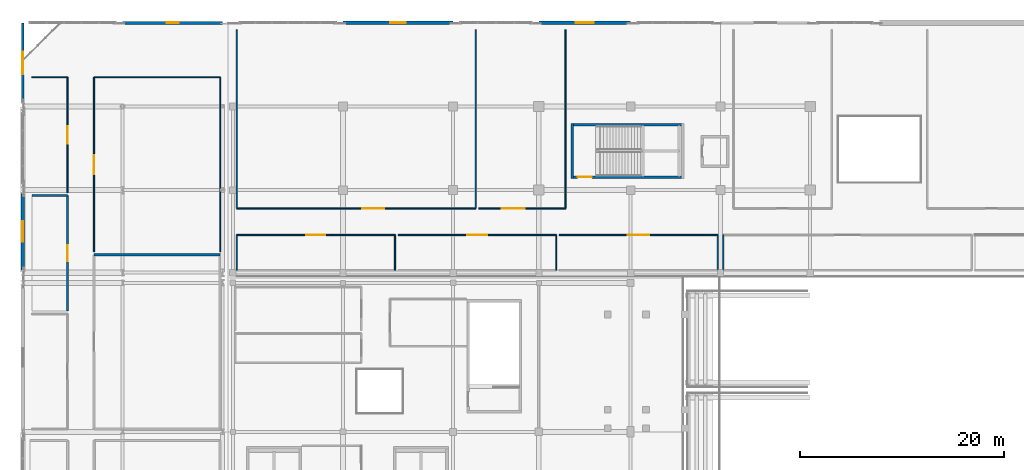
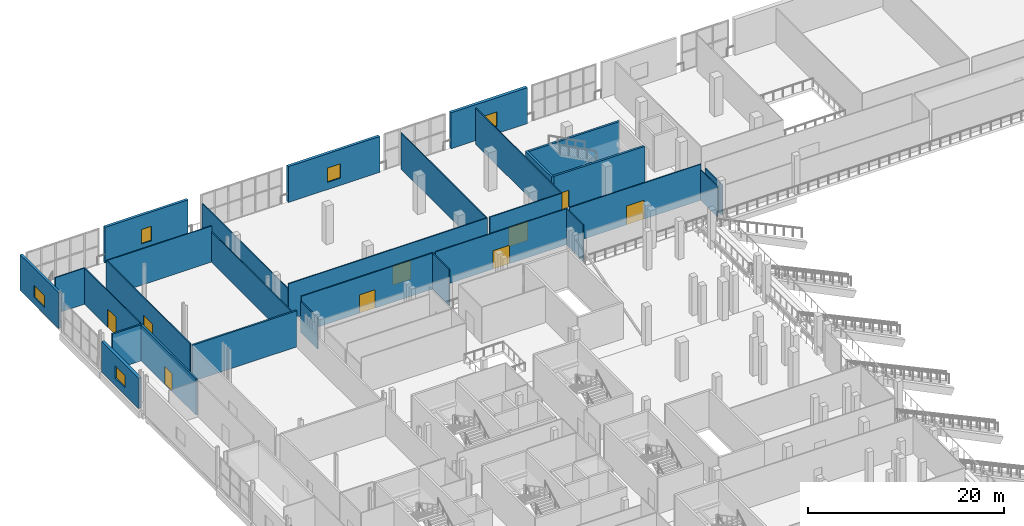
# One storey, part 85 of 129: 29 walls, 9 doors, 5 windows, 14 openings.
"""IFC4 building model written with IfcOpenShell, lengths in metres."""

from ifc_helpers import new_model, si_unit, direction, frame, frame_2d, origin, place, context, subcontext, project, spatial, rectangle, extrude, material, layer, layer_set, type_object, element, fill, save


model = new_model("IFC4")

# Units and contexts
model_context = context("Model", 3, precision=1e-05, world=origin(), true_north=direction((0.0, 1.0)))
body_context = subcontext(model_context, "Body", "Model", "MODEL_VIEW")
ifc_project = project(units=[si_unit("LENGTHUNIT", "METRE"), si_unit("AREAUNIT", "SQUARE_METRE"), si_unit("VOLUMEUNIT", "CUBIC_METRE"), si_unit("PLANEANGLEUNIT", "RADIAN"), si_unit("MASSUNIT", "GRAM", prefix="KILO")], contexts=[model_context])

# Site, building, storey
site_placement = place(None, origin())
site = spatial("IfcSite", under=ifc_project, at=site_placement, CompositionType="ELEMENT")
building_placement = place(site_placement, origin())
building = spatial("IfcBuilding", under=site, at=building_placement, Name="Koshinbarg Plaza Stadium", CompositionType="ELEMENT")
storey_placement = place(building_placement, frame((0.0, 0.0, 5.39990234375)))
storey = spatial("IfcBuildingStorey", under=building, at=storey_placement, Name="L01", CompositionType="ELEMENT", Elevation=5.39990234375)

# Walls
ifc_material_1 = material(Name="Concrete C40/50", Category="concrete")
ifc_layer_1 = layer(ifc_material_1, 0.25)
ifc_layer_set_1 = layer_set([ifc_layer_1], Name="Concrete C40/50")
wall_type_1 = type_object("IfcWallType", Name="WL-CORE-250", PredefinedType="SHEAR", material=ifc_layer_set_1)
wall_1_placement = place(storey_placement, frame((57.875, 142.1201171875, 0.0), z_axis=(0.0, 0.0, 1.0), x_axis=(0.0, -1.0, 0.0)))
element("IfcWall", 1, at=wall_1_placement, inside=storey, type_object=wall_type_1, Name="L01 core stair shear wall C11-near IWL-L01-0262", PredefinedType="SHEAR", context=body_context, shape_type="SweptSolid", body=[
    extrude(rectangle(XDim=5.3701171875, YDim=0.25, at=frame_2d((2.68505859375, 0.0))), origin(), (0.0, 0.0, 1.0), 4.5),
])
wall_2_placement = place(storey_placement, frame((57.875, 141.9951171875, 0.0), z_axis=(0.0, 0.0, 1.0), x_axis=(1.0, 0.0, 0.0)))
element("IfcWall", 2, at=wall_2_placement, inside=storey, type_object=wall_type_1, Name="L01 core stair shear wall C11-left IWL-L01-0264", PredefinedType="SHEAR", context=body_context, shape_type="SweptSolid", body=[
    extrude(rectangle(XDim=10.85009765625, YDim=0.25, at=frame_2d((5.425048828125, 0.0))), origin(), (0.0, 0.0, 1.0), 4.5),
])

# Wall, opening, door
wall_3_placement = place(storey_placement, frame((57.875, 136.875, 0.0), z_axis=(0.0, 0.0, 1.0), x_axis=(1.0, 0.0, 0.0)))
wall_3 = element("IfcWall", 3, at=wall_3_placement, inside=storey, type_object=wall_type_1, Name="L01 core stair shear wall C11-right IWL-L01-0265", PredefinedType="SHEAR", context=body_context, shape_type="SweptSolid", body=[
    extrude(rectangle(XDim=10.85009765625, YDim=0.25, at=frame_2d((5.425048828125, 0.0))), origin(), (0.0, 0.0, 1.0), 4.5),
])
opening_1_placement = place(wall_3_placement, frame((0.52001953125, 0.0, 0.0)))
opening_1 = element("IfcOpeningElement", 4, at=opening_1_placement, cuts=wall_3, Name="Opening D-0128", PredefinedType="OPENING", context=body_context, shape_type="SweptSolid", body=[
    extrude(rectangle(XDim=1.39990234375, YDim=2.14990234375, at=frame_2d((0.699951171875, 1.074951171875))), frame((0.0, 0.135009765625, 0.0), z_axis=(0.0, -1.0, 0.0), x_axis=(1.0, 0.0, 0.0)), (0.0, 0.0, 1.0), 0.27001953125),
])
ifc_material_2 = material(Name="Painted galvanized steel fire door", Category="steel")
door_type_1 = type_object("IfcDoorType", Name="DR-STAIR-1400", OperationType="NOTDEFINED", PredefinedType="DOOR", material=ifc_material_2)
door_1_placement = place(opening_1_placement, origin())
door_1 = element("IfcDoor", 5, at=door_1_placement, inside=storey, type_object=door_type_1, Name="L01 exit stair door C11", OperationType="SINGLE_SWING_LEFT", OverallHeight=2.14990234375, OverallWidth=1.39990234375, PredefinedType="DOOR", context=body_context, shape_type="SweptSolid", body=[
    extrude(rectangle(XDim=1.39990234375, YDim=2.14990234375, at=frame_2d((0.699951171875, 1.074951171875))), frame((0.0, 0.02490234375, 0.0), z_axis=(0.0, -1.0, 0.0), x_axis=(1.0, 0.0, 0.0)), (0.0, 0.0, 1.0), 0.050048828125),
])
fill(opening_1, door_1)

# Wall, opening, window
ifc_material_3 = material(Name="Terracotta-ochre mineral plaster insulated wall", Category="masonry")
ifc_layer_2 = layer(ifc_material_3, 0.280029296875)
ifc_layer_set_2 = layer_set([ifc_layer_2], Name="Terracotta-ochre mineral plaster insulated wall")
wall_type_2 = type_object("IfcWallType", Name="WL-EXT-280", PredefinedType="SOLIDWALL", material=ifc_layer_set_2)
wall_4_placement = place(storey_placement, frame((4.0, 144.14501953125, 0.0), z_axis=(0.0, 0.0, 1.0), x_axis=(0.0, 1.0, 0.0)))
wall_4 = element("IfcWall", 6, at=wall_4_placement, inside=storey, type_object=wall_type_2, Name="L01 exterior envelope wall EWL-L01-0080", PredefinedType="SOLIDWALL", context=body_context, shape_type="SweptSolid", body=[
    extrude(rectangle(XDim=7.85498046875, YDim=0.280029296875, at=frame_2d((3.927490234375, 0.0))), origin(), (0.0, 0.0, 1.0), 4.47998046875),
])
opening_2_placement = place(wall_4_placement, frame((2.827392578125, 0.0, 0.89990234375)))
opening_2 = element("IfcOpeningElement", 7, at=opening_2_placement, cuts=wall_4, Name="Opening WN06", PredefinedType="OPENING", context=body_context, shape_type="SweptSolid", body=[
    extrude(rectangle(XDim=2.199951171875, YDim=1.5, at=frame_2d((1.10009765625, 0.75))), frame((0.0, 0.14990234375, 0.0), z_axis=(0.0, -1.0, 0.0), x_axis=(1.0, 0.0, 0.0)), (0.0, 0.0, 1.0), 0.300048828125),
])
ifc_material_4 = material(Name="Solar-control double glazing in thermally broken aluminium frame", Category="aluminium")
window_type_1 = type_object("IfcWindowType", Name="WN-FAC-06", PartitioningType="DOUBLE_PANEL_VERTICAL", PredefinedType="WINDOW", material=ifc_material_4)
window_1_placement = place(opening_2_placement, origin())
window_1 = element("IfcWindow", 8, at=window_1_placement, inside=storey, type_object=window_type_1, Name="L01 facade window 0022", OverallHeight=1.5, OverallWidth=2.199951171875, PartitioningType="SINGLE_PANEL", PredefinedType="WINDOW", context=body_context, shape_type="SweptSolid", body=[
    extrude(rectangle(XDim=2.199951171875, YDim=1.5, at=frame_2d((1.10009765625, 0.75))), frame((0.0, 0.030029296875, 0.0), z_axis=(0.0, -1.0, 0.0), x_axis=(1.0, 0.0, 0.0)), (0.0, 0.0, 1.0), 0.06005859375),
])
fill(opening_2, window_1)

ifc_material_5 = material(Name="Off-white mineral plaster insulated wall", Category="masonry")
ifc_layer_3 = layer(ifc_material_5, 0.300048828125)
ifc_layer_set_3 = layer_set([ifc_layer_3], Name="Off-white mineral plaster insulated wall")
wall_type_3 = type_object("IfcWallType", Name="WL-EXT-300", PredefinedType="SOLIDWALL", material=ifc_layer_set_3)
wall_5_placement = place(storey_placement, frame((13.800048828125, 152.0, 0.0), z_axis=(0.0, 0.0, 1.0), x_axis=(1.0, 0.0, 0.0)))
wall_5 = element("IfcWall", 9, at=wall_5_placement, inside=storey, type_object=wall_type_3, Name="L01 exterior envelope wall EWL-L01-0081", PredefinedType="SOLIDWALL", context=body_context, shape_type="SweptSolid", body=[
    extrude(rectangle(XDim=9.800048828125, YDim=0.300048828125, at=frame_2d((4.89990234375, 0.0))), origin(), (0.0, 0.0, 1.0), 4.47998046875),
])
opening_3_placement = place(wall_5_placement, frame((4.300048828125, 0.0, 0.89990234375)))
opening_3 = element("IfcOpeningElement", 10, at=opening_3_placement, cuts=wall_5, Name="Opening WN07", PredefinedType="OPENING", context=body_context, shape_type="SweptSolid", body=[
    extrude(rectangle(XDim=1.199951171875, YDim=1.800048828125, at=frame_2d((0.60009765625, 0.89990234375))), frame((0.0, 0.159912109375, 0.0), z_axis=(0.0, -1.0, 0.0), x_axis=(1.0, 0.0, 0.0)), (0.0, 0.0, 1.0), 0.320068359375),
])
window_type_2 = type_object("IfcWindowType", Name="WN-FAC-07", PartitioningType="DOUBLE_PANEL_VERTICAL", PredefinedType="WINDOW", material=ifc_material_4)
window_2_placement = place(opening_3_placement, origin())
window_2 = element("IfcWindow", 11, at=window_2_placement, inside=storey, type_object=window_type_2, Name="L01 facade window 0023", OverallHeight=1.800048828125, OverallWidth=1.199951171875, PartitioningType="SINGLE_PANEL", PredefinedType="WINDOW", context=body_context, shape_type="SweptSolid", body=[
    extrude(rectangle(XDim=1.199951171875, YDim=1.800048828125, at=frame_2d((0.60009765625, 0.89990234375))), frame((0.0, 0.030029296875, 0.0), z_axis=(0.0, -1.0, 0.0), x_axis=(1.0, 0.0, 0.0)), (0.0, 0.0, 1.0), 0.06005859375),
])
fill(opening_3, window_2)

ifc_material_6 = material(Name="Ultramarine-blue pigmented mineral plaster facade wall", Category="masonry")
ifc_layer_4 = layer(ifc_material_6, 0.320068359375)
ifc_layer_set_4 = layer_set([ifc_layer_4], Name="Ultramarine-blue pigmented mineral plaster facade wall")
wall_type_4 = type_object("IfcWallType", Name="WL-EXT-320", PredefinedType="SOLIDWALL", material=ifc_layer_set_4)
wall_6_placement = place(storey_placement, frame((35.39990234375, 152.0, 0.0), z_axis=(0.0, 0.0, 1.0), x_axis=(1.0, 0.0, 0.0)))
wall_6 = element("IfcWall", 12, at=wall_6_placement, inside=storey, type_object=wall_type_4, Name="L01 exterior envelope wall EWL-L01-0082", PredefinedType="SOLIDWALL", context=body_context, shape_type="SweptSolid", body=[
    extrude(rectangle(XDim=10.800048828125, YDim=0.320068359375, at=frame_2d((5.39990234375, 0.0))), origin(), (0.0, 0.0, 1.0), 4.47998046875),
])
opening_4_placement = place(wall_6_placement, frame((4.64990234375, 0.0, 0.89990234375)))
opening_4 = element("IfcOpeningElement", 13, at=opening_4_placement, cuts=wall_6, Name="Opening WN08", PredefinedType="OPENING", context=body_context, shape_type="SweptSolid", body=[
    extrude(rectangle(XDim=1.5, YDim=1.800048828125, at=frame_2d((0.75, 0.89990234375))), frame((0.0, 0.169921875, 0.0), z_axis=(0.0, -1.0, 0.0), x_axis=(1.0, 0.0, 0.0)), (0.0, 0.0, 1.0), 0.340087890625),
])
window_type_3 = type_object("IfcWindowType", Name="WN-FAC-08", PartitioningType="DOUBLE_PANEL_VERTICAL", PredefinedType="WINDOW", material=ifc_material_4)
window_3_placement = place(opening_4_placement, origin())
window_3 = element("IfcWindow", 14, at=window_3_placement, inside=storey, type_object=window_type_3, Name="L01 facade window 0024", OverallHeight=1.800048828125, OverallWidth=1.5, PartitioningType="SINGLE_PANEL", PredefinedType="WINDOW", context=body_context, shape_type="SweptSolid", body=[
    extrude(rectangle(XDim=1.5, YDim=1.800048828125, at=frame_2d((0.75, 0.89990234375))), frame((0.0, 0.030029296875, 0.0), z_axis=(0.0, -1.0, 0.0), x_axis=(1.0, 0.0, 0.0)), (0.0, 0.0, 1.0), 0.06005859375),
])
fill(opening_4, window_3)

ifc_material_7 = material(Name="Acoustic insulated masonry stadium wall", Category="masonry")
ifc_layer_5 = layer(ifc_material_7, 0.35009765625)
ifc_layer_set_5 = layer_set([ifc_layer_5], Name="Acoustic insulated masonry stadium wall")
wall_type_5 = type_object("IfcWallType", Name="WL-EXT-350", PredefinedType="SOLIDWALL", material=ifc_layer_set_5)
wall_7_placement = place(storey_placement, frame((4.0, 127.7451171875, 0.0), z_axis=(0.0, 0.0, 1.0), x_axis=(0.0, 1.0, 0.0)))
wall_7 = element("IfcWall", 15, at=wall_7_placement, inside=storey, type_object=wall_type_5, Name="L01 exterior envelope wall EWL-L01-0079", PredefinedType="SOLIDWALL", context=body_context, shape_type="SweptSolid", body=[
    extrude(rectangle(XDim=7.559814453125, YDim=0.35009765625, at=frame_2d((3.77978515625, 0.0))), origin(), (0.0, 0.0, 1.0), 3.780029296875),
])
opening_5_placement = place(wall_7_placement, frame((2.780029296875, 0.0, 0.89990234375)))
opening_5 = element("IfcOpeningElement", 16, at=opening_5_placement, cuts=wall_7, Name="Opening WN05", PredefinedType="OPENING", context=body_context, shape_type="SweptSolid", body=[
    extrude(rectangle(XDim=2.0, YDim=1.5, at=frame_2d((1.0, 0.75))), frame((0.0, 0.18505859375, 0.0), z_axis=(0.0, -1.0, 0.0), x_axis=(1.0, 0.0, 0.0)), (0.0, 0.0, 1.0), 0.3701171875),
])
window_type_4 = type_object("IfcWindowType", Name="WN-FAC-05", PartitioningType="DOUBLE_PANEL_VERTICAL", PredefinedType="WINDOW", material=ifc_material_4)
window_4_placement = place(opening_5_placement, origin())
window_4 = element("IfcWindow", 17, at=window_4_placement, inside=storey, type_object=window_type_4, Name="L01 facade window 0021", OverallHeight=1.5, OverallWidth=2.0, PartitioningType="SINGLE_PANEL", PredefinedType="WINDOW", context=body_context, shape_type="SweptSolid", body=[
    extrude(rectangle(XDim=2.0, YDim=1.5, at=frame_2d((1.0, 0.75))), frame((0.0, 0.030029296875, 0.0), z_axis=(0.0, -1.0, 0.0), x_axis=(1.0, 0.0, 0.0)), (0.0, 0.0, 1.0), 0.06005859375),
])
fill(opening_5, window_4)

wall_8_placement = place(storey_placement, frame((54.60009765625, 152.0, 0.0), z_axis=(0.0, 0.0, 1.0), x_axis=(1.0, 0.0, 0.0)))
wall_8 = element("IfcWall", 18, at=wall_8_placement, inside=storey, type_object=wall_type_5, Name="L01 exterior envelope wall EWL-L01-0083", PredefinedType="SOLIDWALL", context=body_context, shape_type="SweptSolid", body=[
    extrude(rectangle(XDim=9.0, YDim=0.35009765625, at=frame_2d((4.5, 0.0))), origin(), (0.0, 0.0, 1.0), 4.47998046875),
])
opening_6_placement = place(wall_8_placement, frame((3.60009765625, 0.0, 0.89990234375)))
opening_6 = element("IfcOpeningElement", 19, at=opening_6_placement, cuts=wall_8, Name="Opening WN09", PredefinedType="OPENING", context=body_context, shape_type="SweptSolid", body=[
    extrude(rectangle(XDim=1.800048828125, YDim=1.800048828125, at=frame_2d((0.89990234375, 0.89990234375))), frame((0.0, 0.18505859375, 0.0), z_axis=(0.0, -1.0, 0.0), x_axis=(1.0, 0.0, 0.0)), (0.0, 0.0, 1.0), 0.3701171875),
])
window_type_5 = type_object("IfcWindowType", Name="WN-FAC-09", PartitioningType="DOUBLE_PANEL_VERTICAL", PredefinedType="WINDOW", material=ifc_material_4)
window_5_placement = place(opening_6_placement, origin())
window_5 = element("IfcWindow", 20, at=window_5_placement, inside=storey, type_object=window_type_5, Name="L01 facade window 0025", OverallHeight=1.800048828125, OverallWidth=1.800048828125, PartitioningType="SINGLE_PANEL", PredefinedType="WINDOW", context=body_context, shape_type="SweptSolid", body=[
    extrude(rectangle(XDim=1.800048828125, YDim=1.800048828125, at=frame_2d((0.89990234375, 0.89990234375))), frame((0.0, 0.030029296875, 0.0), z_axis=(0.0, -1.0, 0.0), x_axis=(1.0, 0.0, 0.0)), (0.0, 0.0, 1.0), 0.06005859375),
])
fill(opening_6, window_5)

# Wall
ifc_material_8 = material(Name="Gypsum board metal-stud acoustic partition")
ifc_layer_6 = layer(ifc_material_8, 0.1201171875)
ifc_layer_set_6 = layer_set([ifc_layer_6], Name="Gypsum board metal-stud acoustic partition")
wall_type_6 = type_object("IfcWallType", Name="WL-PART-120", PredefinedType="PARTITIONING", material=ifc_layer_set_6)
wall_9_placement = place(storey_placement, frame((40.506591796875, 127.7451171875, 0.0), z_axis=(0.0, 0.0, 1.0), x_axis=(0.0, 1.0, 0.0)))
element("IfcWall", 21, at=wall_9_placement, inside=storey, type_object=wall_type_6, Name="L01 interior partition L01-115-east IWL-L01-1444", PredefinedType="PARTITIONING", context=body_context, shape_type="SweptSolid", body=[
    extrude(rectangle(XDim=3.454833984375, YDim=0.1201171875, at=frame_2d((1.7275390625, 0.0))), origin(), (0.0, 0.0, 1.0), 4.5),
])

# Wall, opening, door
wall_10_placement = place(storey_placement, frame((40.506591796875, 131.199951171875, 0.0), z_axis=(0.0, 0.0, 1.0), x_axis=(-1.0, 0.0, 0.0)))
wall_10 = element("IfcWall", 22, at=wall_10_placement, inside=storey, type_object=wall_type_6, Name="L01 interior partition L01-115-north IWL-L01-1445", PredefinedType="PARTITIONING", context=body_context, shape_type="SweptSolid", body=[
    extrude(rectangle(XDim=15.511474609375, YDim=0.1201171875, at=frame_2d((7.755859375, 0.0))), origin(), (0.0, 0.0, 1.0), 4.5),
])
opening_7_placement = place(wall_10_placement, frame((6.825927734375, 0.0, 0.0)))
opening_7 = element("IfcOpeningElement", 23, at=opening_7_placement, cuts=wall_10, Name="Opening D-0481", PredefinedType="OPENING", context=body_context, shape_type="SweptSolid", body=[
    extrude(rectangle(XDim=1.860107421875, YDim=2.300048828125, at=frame_2d((0.93017578125, 1.14990234375))), frame((0.0, 0.070068359375, 0.0), z_axis=(0.0, -1.0, 0.0), x_axis=(1.0, 0.0, 0.0)), (0.0, 0.0, 1.0), 0.14013671875),
])
ifc_material_9 = material(Name="Acoustic solid-core walnut veneer fire door")
door_type_2 = type_object("IfcDoorType", Name="DR-INT-1860x2300", OperationType="NOTDEFINED", PredefinedType="DOOR", material=ifc_material_9)
door_2_placement = place(opening_7_placement, origin())
door_2 = element("IfcDoor", 24, at=door_2_placement, inside=storey, type_object=door_type_2, Name="L01 Sports Museum Upper Hall door D-0481", OperationType="DOUBLE_DOOR_SINGLE_SWING", OverallHeight=2.300048828125, OverallWidth=1.860107421875, PredefinedType="DOOR", context=body_context, shape_type="SweptSolid", body=[
    extrude(rectangle(XDim=1.860107421875, YDim=2.300048828125, at=frame_2d((0.93017578125, 1.14990234375))), frame((0.0, 0.02490234375, 0.0), z_axis=(0.0, -1.0, 0.0), x_axis=(1.0, 0.0, 0.0)), (0.0, 0.0, 1.0), 0.050048828125),
])
fill(opening_7, door_2)

# Walls
wall_11_placement = place(storey_placement, frame((24.9951171875, 131.199951171875, 0.0), z_axis=(0.0, 0.0, 1.0), x_axis=(0.0, -1.0, 0.0)))
element("IfcWall", 25, at=wall_11_placement, inside=storey, type_object=wall_type_6, Name="L01 interior partition L01-115-west IWL-L01-1446", PredefinedType="PARTITIONING", context=body_context, shape_type="SweptSolid", body=[
    extrude(rectangle(XDim=3.454833984375, YDim=0.1201171875, at=frame_2d((1.7275390625, 0.0))), origin(), (0.0, 0.0, 1.0), 3.880126953125),
])
wall_12_placement = place(storey_placement, frame((56.318359375, 127.7451171875, 0.0), z_axis=(0.0, 0.0, 1.0), x_axis=(0.0, 1.0, 0.0)))
element("IfcWall", 26, at=wall_12_placement, inside=storey, type_object=wall_type_6, Name="L01 interior partition L01-116-east IWL-L01-1448", PredefinedType="PARTITIONING", context=body_context, shape_type="SweptSolid", body=[
    extrude(rectangle(XDim=3.454833984375, YDim=0.1201171875, at=frame_2d((1.7275390625, 0.0))), origin(), (0.0, 0.0, 1.0), 4.5),
])

# Wall, opening, door
wall_13_placement = place(storey_placement, frame((56.318359375, 131.199951171875, 0.0), z_axis=(0.0, 0.0, 1.0), x_axis=(-1.0, 0.0, 0.0)))
wall_13 = element("IfcWall", 27, at=wall_13_placement, inside=storey, type_object=wall_type_6, Name="L01 interior partition L01-116-north IWL-L01-1449", PredefinedType="PARTITIONING", context=body_context, shape_type="SweptSolid", body=[
    extrude(rectangle(XDim=15.51171875, YDim=0.1201171875, at=frame_2d((7.755859375, 0.0))), origin(), (0.0, 0.0, 1.0), 4.5),
])
opening_8_placement = place(wall_13_placement, frame((6.77587890625, 0.0, 0.0)))
opening_8 = element("IfcOpeningElement", 28, at=opening_8_placement, cuts=wall_13, Name="Opening D-0482", PredefinedType="OPENING", context=body_context, shape_type="SweptSolid", body=[
    extrude(rectangle(XDim=1.9599609375, YDim=2.300048828125, at=frame_2d((0.97998046875, 1.14990234375))), frame((0.0, 0.070068359375, 0.0), z_axis=(0.0, -1.0, 0.0), x_axis=(1.0, 0.0, 0.0)), (0.0, 0.0, 1.0), 0.14013671875),
])
ifc_material_10 = material(Name="Bronze-anodised aluminium glazed double door", Category="aluminium")
door_type_3 = type_object("IfcDoorType", Name="DR-INT-1960x2300", OperationType="NOTDEFINED", PredefinedType="DOOR", material=ifc_material_10)
door_3_placement = place(opening_8_placement, origin())
door_3 = element("IfcDoor", 29, at=door_3_placement, inside=storey, type_object=door_type_3, Name="L01 North Concourse Promenade door D-0482", OperationType="DOUBLE_DOOR_SINGLE_SWING", OverallHeight=2.300048828125, OverallWidth=1.9599609375, PredefinedType="DOOR", context=body_context, shape_type="SweptSolid", body=[
    extrude(rectangle(XDim=1.9599609375, YDim=2.300048828125, at=frame_2d((0.97998046875, 1.14990234375))), frame((0.0, 0.02490234375, 0.0), z_axis=(0.0, -1.0, 0.0), x_axis=(1.0, 0.0, 0.0)), (0.0, 0.0, 1.0), 0.050048828125),
])
fill(opening_8, door_3)

# Wall
wall_14_placement = place(storey_placement, frame((72.1298828125, 127.7451171875, 0.0), z_axis=(0.0, 0.0, 1.0), x_axis=(0.0, 1.0, 0.0)))
element("IfcWall", 30, at=wall_14_placement, inside=storey, type_object=wall_type_6, Name="L01 interior partition L01-117-east IWL-L01-1451", PredefinedType="PARTITIONING", context=body_context, shape_type="SweptSolid", body=[
    extrude(rectangle(XDim=3.454833984375, YDim=0.1201171875, at=frame_2d((1.7275390625, 0.0))), origin(), (0.0, 0.0, 1.0), 3.780029296875),
])

# Wall, opening, door
wall_15_placement = place(storey_placement, frame((72.1298828125, 131.199951171875, 0.0), z_axis=(0.0, 0.0, 1.0), x_axis=(-1.0, 0.0, 0.0)))
wall_15 = element("IfcWall", 31, at=wall_15_placement, inside=storey, type_object=wall_type_6, Name="L01 interior partition L01-117-north IWL-L01-1452", PredefinedType="PARTITIONING", context=body_context, shape_type="SweptSolid", body=[
    extrude(rectangle(XDim=15.511474609375, YDim=0.1201171875, at=frame_2d((7.755859375, 0.0))), origin(), (0.0, 0.0, 1.0), 4.5),
])
opening_9_placement = place(wall_15_placement, frame((6.7158203125, 0.0, 0.0)))
opening_9 = element("IfcOpeningElement", 32, at=opening_9_placement, cuts=wall_15, Name="Opening D-0483", PredefinedType="OPENING", context=body_context, shape_type="SweptSolid", body=[
    extrude(rectangle(XDim=2.080078125, YDim=2.35009765625, at=frame_2d((1.0400390625, 1.175048828125))), frame((0.0, 0.070068359375, 0.0), z_axis=(0.0, -1.0, 0.0), x_axis=(1.0, 0.0, 0.0)), (0.0, 0.0, 1.0), 0.14013671875),
])
ifc_material_11 = material(Name="Laminated safety glass aluminium vestibule door", Category="aluminium")
door_type_4 = type_object("IfcDoorType", Name="DR-INT-2080x2350", OperationType="NOTDEFINED", PredefinedType="DOOR", material=ifc_material_11)
door_4_placement = place(opening_9_placement, origin())
door_4 = element("IfcDoor", 33, at=door_4_placement, inside=storey, type_object=door_type_4, Name="L01 Interactive Football Exhibition Hall door D-0483", OperationType="DOUBLE_DOOR_SINGLE_SWING", OverallHeight=2.35009765625, OverallWidth=2.080078125, PredefinedType="DOOR", context=body_context, shape_type="SweptSolid", body=[
    extrude(rectangle(XDim=2.080078125, YDim=2.35009765625, at=frame_2d((1.0400390625, 1.175048828125))), frame((0.0, 0.02490234375, 0.0), z_axis=(0.0, -1.0, 0.0), x_axis=(1.0, 0.0, 0.0)), (0.0, 0.0, 1.0), 0.050048828125),
])
fill(opening_9, door_4)

wall_16_placement = place(storey_placement, frame((24.9951171875, 133.800048828125, 0.0), z_axis=(0.0, 0.0, 1.0), x_axis=(1.0, 0.0, 0.0)))
wall_16 = element("IfcWall", 34, at=wall_16_placement, inside=storey, type_object=wall_type_6, Name="L01 interior partition L01-118-south IWL-L01-1453", PredefinedType="PARTITIONING", context=body_context, shape_type="SweptSolid", body=[
    extrude(rectangle(XDim=23.41748046875, YDim=0.1201171875, at=frame_2d((11.708740234375, 0.0))), origin(), (0.0, 0.0, 1.0), 4.5),
])
opening_10_placement = place(wall_16_placement, frame((12.2734375, 0.0, 0.0)))
opening_10 = element("IfcOpeningElement", 35, at=opening_10_placement, cuts=wall_16, Name="Opening D-0484", PredefinedType="OPENING", context=body_context, shape_type="SweptSolid", body=[
    extrude(rectangle(XDim=2.159912109375, YDim=2.35009765625, at=frame_2d((1.080078125, 1.175048828125))), frame((0.0, 0.070068359375, 0.0), z_axis=(0.0, -1.0, 0.0), x_axis=(1.0, 0.0, 0.0)), (0.0, 0.0, 1.0), 0.14013671875),
])
ifc_material_12 = material(Name="Galvanized painted steel double leaf door", Category="steel")
door_type_5 = type_object("IfcDoorType", Name="DR-INT-2160x2350", OperationType="NOTDEFINED", PredefinedType="DOOR", material=ifc_material_12)
door_5_placement = place(opening_10_placement, origin())
door_5 = element("IfcDoor", 36, at=door_5_placement, inside=storey, type_object=door_type_5, Name="L01 North Concourse Promenade door D-0484", OperationType="DOUBLE_DOOR_SINGLE_SWING", OverallHeight=2.35009765625, OverallWidth=2.159912109375, PredefinedType="DOOR", context=body_context, shape_type="SweptSolid", body=[
    extrude(rectangle(XDim=2.159912109375, YDim=2.35009765625, at=frame_2d((1.080078125, 1.175048828125))), frame((0.0, 0.02490234375, 0.0), z_axis=(0.0, -1.0, 0.0), x_axis=(1.0, 0.0, 0.0)), (0.0, 0.0, 1.0), 0.050048828125),
])
fill(opening_10, door_5)

# Walls
wall_17_placement = place(storey_placement, frame((48.41259765625, 133.800048828125, 0.0), z_axis=(0.0, 0.0, 1.0), x_axis=(0.0, 1.0, 0.0)))
element("IfcWall", 37, at=wall_17_placement, inside=storey, type_object=wall_type_6, Name="L01 interior partition L01-118-east IWL-L01-1454", PredefinedType="PARTITIONING", context=body_context, shape_type="SweptSolid", body=[
    extrude(rectangle(XDim=17.5, YDim=0.1201171875, at=frame_2d((8.75, 0.0))), origin(), (0.0, 0.0, 1.0), 4.5),
])
wall_18_placement = place(storey_placement, frame((24.9951171875, 151.300048828125, 0.0), z_axis=(0.0, 0.0, 1.0), x_axis=(0.0, -1.0, 0.0)))
element("IfcWall", 38, at=wall_18_placement, inside=storey, type_object=wall_type_6, Name="L01 interior partition L01-118-west IWL-L01-1455", PredefinedType="PARTITIONING", context=body_context, shape_type="SweptSolid", body=[
    extrude(rectangle(XDim=17.5, YDim=0.1201171875, at=frame_2d((8.75, 0.0))), origin(), (0.0, 0.0, 1.0), 3.880126953125),
])

# Wall, opening, door
wall_19_placement = place(storey_placement, frame((48.71240234375, 133.800048828125, 0.0), z_axis=(0.0, 0.0, 1.0), x_axis=(1.0, 0.0, 0.0)))
wall_19 = element("IfcWall", 39, at=wall_19_placement, inside=storey, type_object=wall_type_6, Name="L01 interior partition L01-119-south IWL-L01-1456", PredefinedType="PARTITIONING", context=body_context, shape_type="SweptSolid", body=[
    extrude(rectangle(XDim=8.507568359375, YDim=0.1201171875, at=frame_2d((4.25390625, 0.0))), origin(), (0.0, 0.0, 1.0), 4.5),
])
opening_11_placement = place(wall_19_placement, frame((2.2294921875, 0.0, 0.0)))
opening_11 = element("IfcOpeningElement", 40, at=opening_11_placement, cuts=wall_19, Name="Opening D-0485", PredefinedType="OPENING", context=body_context, shape_type="SweptSolid", body=[
    extrude(rectangle(XDim=2.280029296875, YDim=2.39990234375, at=frame_2d((1.14013671875, 1.199951171875))), frame((0.0, 0.070068359375, 0.0), z_axis=(0.0, -1.0, 0.0), x_axis=(1.0, 0.0, 0.0)), (0.0, 0.0, 1.0), 0.14013671875),
])
ifc_material_13 = material(Name="Anodised aluminium and laminated glass portal door", Category="aluminium")
door_type_6 = type_object("IfcDoorType", Name="DR-INT-2280x2400", OperationType="NOTDEFINED", PredefinedType="DOOR", material=ifc_material_13)
door_6_placement = place(opening_11_placement, origin())
door_6 = element("IfcDoor", 41, at=door_6_placement, inside=storey, type_object=door_type_6, Name="L01 Interactive Football Exhibition Hall door D-0485", OperationType="DOUBLE_DOOR_SINGLE_SWING", OverallHeight=2.39990234375, OverallWidth=2.280029296875, PredefinedType="DOOR", context=body_context, shape_type="SweptSolid", body=[
    extrude(rectangle(XDim=2.280029296875, YDim=2.39990234375, at=frame_2d((1.14013671875, 1.199951171875))), frame((0.0, 0.02490234375, 0.0), z_axis=(0.0, -1.0, 0.0), x_axis=(1.0, 0.0, 0.0)), (0.0, 0.0, 1.0), 0.050048828125),
])
fill(opening_11, door_6)

# Walls
wall_20_placement = place(storey_placement, frame((57.219970703125, 133.800048828125, 0.0), z_axis=(0.0, 0.0, 1.0), x_axis=(0.0, 1.0, 0.0)))
element("IfcWall", 42, at=wall_20_placement, inside=storey, type_object=wall_type_6, Name="L01 interior partition L01-119-east IWL-L01-1457", PredefinedType="PARTITIONING", context=body_context, shape_type="SweptSolid", body=[
    extrude(rectangle(XDim=17.5, YDim=0.1201171875, at=frame_2d((8.75, 0.0))), origin(), (0.0, 0.0, 1.0), 4.5),
])
wall_21_placement = place(storey_placement, frame((72.669921875, 131.199951171875, 0.0), z_axis=(0.0, 0.0, 1.0), x_axis=(0.0, -1.0, 0.0)))
element("IfcWall", 43, at=wall_21_placement, inside=storey, type_object=wall_type_6, Name="L01 interior partition L01-120-west IWL-L01-1461", PredefinedType="PARTITIONING", context=body_context, shape_type="SweptSolid", body=[
    extrude(rectangle(XDim=3.454833984375, YDim=0.1201171875, at=frame_2d((1.7275390625, 0.0))), origin(), (0.0, 0.0, 1.0), 3.780029296875),
])

# Wall, opening, door
wall_22_placement = place(storey_placement, frame((8.39990234375, 135.356689453125, 0.0), z_axis=(0.0, 0.0, 1.0), x_axis=(0.0, 1.0, 0.0)))
wall_22 = element("IfcWall", 44, at=wall_22_placement, inside=storey, type_object=wall_type_6, Name="L01 interior partition L01-164-east IWL-L01-1580", PredefinedType="PARTITIONING", context=body_context, shape_type="SweptSolid", body=[
    extrude(rectangle(XDim=11.293212890625, YDim=0.1201171875, at=frame_2d((5.646484375, 0.0))), origin(), (0.0, 0.0, 1.0), 4.5),
])
opening_12_placement = place(wall_22_placement, frame((4.806640625, 0.0, 0.0)))
opening_12 = element("IfcOpeningElement", 45, at=opening_12_placement, cuts=wall_22, Name="Opening D-0530", PredefinedType="OPENING", context=body_context, shape_type="SweptSolid", body=[
    extrude(rectangle(XDim=1.679931640625, YDim=2.25, at=frame_2d((0.83984375, 1.125))), frame((0.0, 0.070068359375, 0.0), z_axis=(0.0, -1.0, 0.0), x_axis=(1.0, 0.0, 0.0)), (0.0, 0.0, 1.0), 0.14013671875),
])
ifc_material_14 = material(Name="Powder-coated aluminium double glazed door", Category="aluminium")
door_type_7 = type_object("IfcDoorType", Name="DR-INT-1680x2250", OperationType="NOTDEFINED", PredefinedType="DOOR", material=ifc_material_14)
door_7_placement = place(opening_12_placement, origin())
door_7 = element("IfcDoor", 46, at=door_7_placement, inside=storey, type_object=door_type_7, Name="L01 Northwest Arcade Concourse door D-0530", OperationType="DOUBLE_DOOR_SINGLE_SWING", OverallHeight=2.25, OverallWidth=1.679931640625, PredefinedType="DOOR", context=body_context, shape_type="SweptSolid", body=[
    extrude(rectangle(XDim=1.679931640625, YDim=2.25, at=frame_2d((0.83984375, 1.125))), frame((0.0, 0.02490234375, 0.0), z_axis=(0.0, -1.0, 0.0), x_axis=(1.0, 0.0, 0.0)), (0.0, 0.0, 1.0), 0.050048828125),
])
fill(opening_12, door_7)

# Walls
wall_23_placement = place(storey_placement, frame((8.39990234375, 146.64990234375, 0.0), z_axis=(0.0, 0.0, 1.0), x_axis=(-1.0, 0.0, 0.0)))
element("IfcWall", 47, at=wall_23_placement, inside=storey, type_object=wall_type_6, Name="L01 interior partition L01-164-north IWL-L01-1581", PredefinedType="PARTITIONING", context=body_context, shape_type="SweptSolid", body=[
    extrude(rectangle(XDim=3.5, YDim=0.1201171875, at=frame_2d((1.75, 0.0))), origin(), (0.0, 0.0, 1.0), 4.5),
])
wall_24_placement = place(storey_placement, frame((23.35498046875, 129.56005859375, 0.0), z_axis=(0.0, 0.0, 1.0), x_axis=(0.0, 1.0, 0.0)))
element("IfcWall", 48, at=wall_24_placement, inside=storey, type_object=wall_type_6, Name="L01 interior partition L01-166-east IWL-L01-1586", PredefinedType="PARTITIONING", context=body_context, shape_type="SweptSolid", body=[
    extrude(rectangle(XDim=17.08984375, YDim=0.1201171875, at=frame_2d((8.544921875, 0.0))), origin(), (0.0, 0.0, 1.0), 3.780029296875),
])
wall_25_placement = place(storey_placement, frame((23.35498046875, 146.64990234375, 0.0), z_axis=(0.0, 0.0, 1.0), x_axis=(-1.0, 0.0, 0.0)))
element("IfcWall", 49, at=wall_25_placement, inside=storey, type_object=wall_type_6, Name="L01 interior partition L01-166-north IWL-L01-1587", PredefinedType="PARTITIONING", context=body_context, shape_type="SweptSolid", body=[
    extrude(rectangle(XDim=12.35498046875, YDim=0.1201171875, at=frame_2d((6.177490234375, 0.0))), origin(), (0.0, 0.0, 1.0), 4.5),
])

# Wall, opening, door
wall_26_placement = place(storey_placement, frame((11.0, 146.64990234375, 0.0), z_axis=(0.0, 0.0, 1.0), x_axis=(0.0, -1.0, 0.0)))
wall_26 = element("IfcWall", 50, at=wall_26_placement, inside=storey, type_object=wall_type_6, Name="L01 interior partition L01-166-west IWL-L01-1588", PredefinedType="PARTITIONING", context=body_context, shape_type="SweptSolid", body=[
    extrude(rectangle(XDim=17.08984375, YDim=0.1201171875, at=frame_2d((8.544921875, 0.0))), origin(), (0.0, 0.0, 1.0), 4.5),
])
opening_13_placement = place(wall_26_placement, frame((7.614990234375, 0.0, 0.0)))
opening_13 = element("IfcOpeningElement", 51, at=opening_13_placement, cuts=wall_26, Name="Opening D-0532", PredefinedType="OPENING", context=body_context, shape_type="SweptSolid", body=[
    extrude(rectangle(XDim=1.860107421875, YDim=2.300048828125, at=frame_2d((0.93017578125, 1.14990234375))), frame((0.0, 0.070068359375, 0.0), z_axis=(0.0, -1.0, 0.0), x_axis=(1.0, 0.0, 0.0)), (0.0, 0.0, 1.0), 0.14013671875),
])
door_8_placement = place(opening_13_placement, origin())
door_8 = element("IfcDoor", 52, at=door_8_placement, inside=storey, type_object=door_type_2, Name="L01 Northwest Arcade Concourse door D-0532", OperationType="DOUBLE_DOOR_SINGLE_SWING", OverallHeight=2.300048828125, OverallWidth=1.860107421875, PredefinedType="DOOR", context=body_context, shape_type="SweptSolid", body=[
    extrude(rectangle(XDim=1.860107421875, YDim=2.300048828125, at=frame_2d((0.93017578125, 1.14990234375))), frame((0.0, 0.02490234375, 0.0), z_axis=(0.0, -1.0, 0.0), x_axis=(1.0, 0.0, 0.0)), (0.0, 0.0, 1.0), 0.050048828125),
])
fill(opening_13, door_8)

ifc_material_15 = material(Name="Autoclaved aerated blockwork fire partition", Category="masonry")
ifc_layer_7 = layer(ifc_material_15, 0.199951171875)
ifc_layer_set_7 = layer_set([ifc_layer_7], Name="Autoclaved aerated blockwork fire partition")
wall_type_7 = type_object("IfcWallType", Name="WL-PART-200", PredefinedType="PARTITIONING", material=ifc_layer_set_7)
wall_27_placement = place(storey_placement, frame((8.39990234375, 123.76318359375, 0.0), z_axis=(0.0, 0.0, 1.0), x_axis=(0.0, 1.0, 0.0)))
wall_27 = element("IfcWall", 53, at=wall_27_placement, inside=storey, type_object=wall_type_7, Name="L01 interior partition L01-163-east IWL-L01-1578", PredefinedType="PARTITIONING", context=body_context, shape_type="SweptSolid", body=[
    extrude(rectangle(XDim=11.29345703125, YDim=0.199951171875, at=frame_2d((5.646728515625, 0.0))), origin(), (0.0, 0.0, 1.0), 4.5),
])
opening_14_placement = place(wall_27_placement, frame((4.87158203125, 0.0, 0.0)))
opening_14 = element("IfcOpeningElement", 54, at=opening_14_placement, cuts=wall_27, Name="Opening D-0529", PredefinedType="OPENING", context=body_context, shape_type="SweptSolid", body=[
    extrude(rectangle(XDim=1.550048828125, YDim=2.199951171875, at=frame_2d((0.77490234375, 1.10009765625))), frame((0.0, 0.10986328125, 0.0), z_axis=(0.0, -1.0, 0.0), x_axis=(1.0, 0.0, 0.0)), (0.0, 0.0, 1.0), 0.219970703125),
])
ifc_material_16 = material(Name="Toughened laminated glass in aluminium frame", Category="aluminium")
door_type_8 = type_object("IfcDoorType", Name="DR-INT-1550x2200", OperationType="NOTDEFINED", PredefinedType="DOOR", material=ifc_material_16)
door_9_placement = place(opening_14_placement, origin())
door_9 = element("IfcDoor", 55, at=door_9_placement, inside=storey, type_object=door_type_8, Name="L01 Ticketing Operations Room door D-0529", OperationType="DOUBLE_DOOR_SINGLE_SWING", OverallHeight=2.199951171875, OverallWidth=1.550048828125, PredefinedType="DOOR", context=body_context, shape_type="SweptSolid", body=[
    extrude(rectangle(XDim=1.550048828125, YDim=2.199951171875, at=frame_2d((0.77490234375, 1.10009765625))), frame((0.0, 0.02490234375, 0.0), z_axis=(0.0, -1.0, 0.0), x_axis=(1.0, 0.0, 0.0)), (0.0, 0.0, 1.0), 0.050048828125),
])
fill(opening_14, door_9)

# Walls
wall_28_placement = place(storey_placement, frame((8.39990234375, 135.056640625, 0.0), z_axis=(0.0, 0.0, 1.0), x_axis=(-1.0, 0.0, 0.0)))
element("IfcWall", 56, at=wall_28_placement, inside=storey, type_object=wall_type_7, Name="L01 interior partition L01-163-north IWL-L01-1579", PredefinedType="PARTITIONING", context=body_context, shape_type="SweptSolid", body=[
    extrude(rectangle(XDim=3.5, YDim=0.199951171875, at=frame_2d((1.75, 0.0))), origin(), (0.0, 0.0, 1.0), 4.5),
])
wall_29_placement = place(storey_placement, frame((23.35498046875, 129.260009765625, 0.0), z_axis=(0.0, 0.0, 1.0), x_axis=(-1.0, 0.0, 0.0)))
element("IfcWall", 57, at=wall_29_placement, inside=storey, type_object=wall_type_7, Name="L01 interior partition L01-165-north IWL-L01-1584", PredefinedType="PARTITIONING", context=body_context, shape_type="SweptSolid", body=[
    extrude(rectangle(XDim=12.35498046875, YDim=0.199951171875, at=frame_2d((6.177490234375, 0.0))), origin(), (0.0, 0.0, 1.0), 4.5),
])

save(model, "model.ifc")
